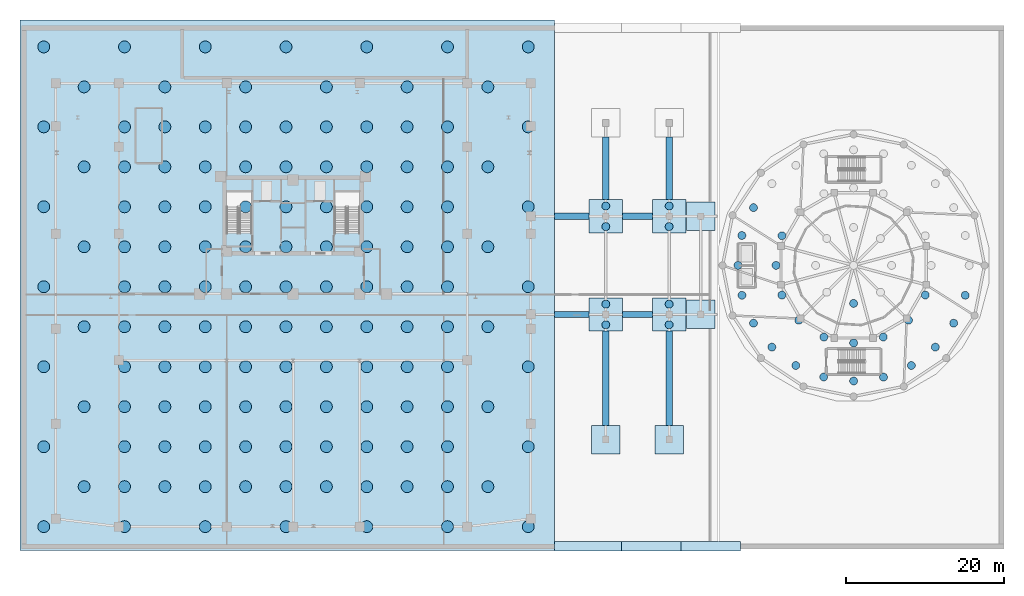
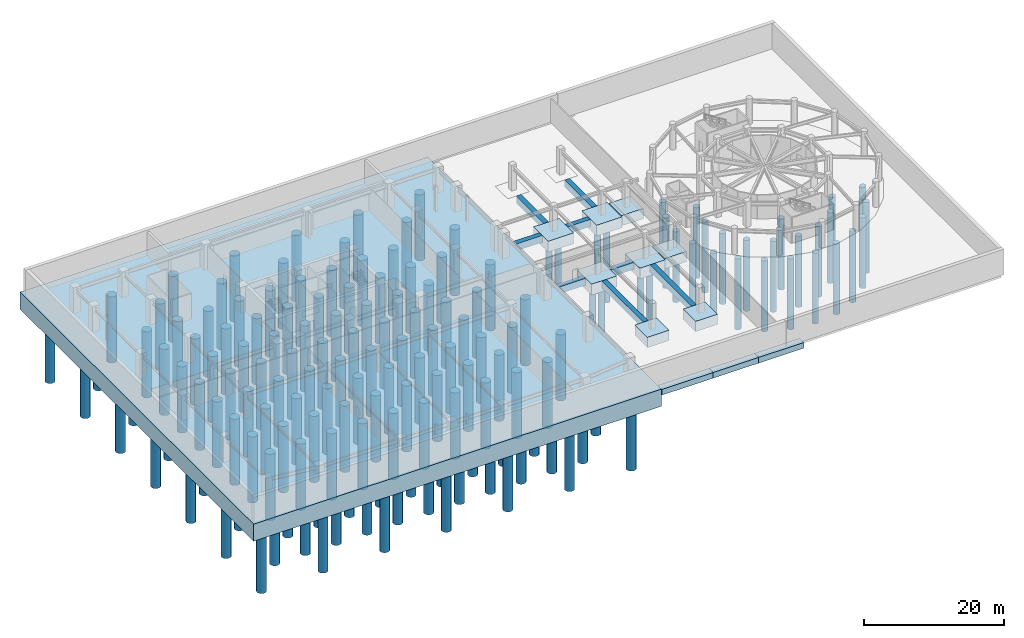
# One storey, part 1 of 15: 162 piles, 20 footings.
"""IFC4 building model written with IfcOpenShell, lengths in metres."""

from ifc_helpers import new_model, si_unit, derived_unit, direction, frame, origin, origin_2d, place, context, subcontext, project, spatial, polyline, rectangle, circle, outline, extrude, source, transform, mapped, material, material_profile, profile_set, type_object, element, save


model = new_model("IFC4")

# Units and contexts
model_context = context("Model", 3, precision=1e-05, world=origin(), true_north=direction((0.0, 1.0)))
body_context = subcontext(model_context, "Body", "Model", "MODEL_VIEW")
ifc_project = project(units=[si_unit("LENGTHUNIT", "METRE"), si_unit("AREAUNIT", "SQUARE_METRE"), si_unit("VOLUMEUNIT", "CUBIC_METRE"), si_unit("PLANEANGLEUNIT", "RADIAN"), si_unit("MASSUNIT", "GRAM", prefix="KILO"), derived_unit("THERMALTRANSMITTANCEUNIT", [(si_unit("POWERUNIT", "WATT"), 1), (si_unit("LENGTHUNIT", "METRE"), -2), (si_unit("THERMODYNAMICTEMPERATUREUNIT", "KELVIN"), -1)])], contexts=[model_context])

# Site, building, storey
site_placement = place(None, origin())
site = spatial("IfcSite", under=ifc_project, at=site_placement, CompositionType="ELEMENT")
building_placement = place(site_placement, origin())
building = spatial("IfcBuilding", under=site, at=building_placement, Name="Korsvarv Bourse and Concert Hall", CompositionType="ELEMENT")
storey_placement = place(building_placement, frame((0.0, 0.0, -9.0)))
storey = spatial("IfcBuildingStorey", under=building, at=storey_placement, Name="B02", CompositionType="ELEMENT", Elevation=-9.0)

# Footings
ifc_material_1 = material(Name="Concrete C50/60", Category="concrete")
footing_type_1 = type_object("IfcFootingType", Name="FT-RAFT-TW", PredefinedType="CAISSON_FOUNDATION", material=ifc_material_1)
footing_1_placement = place(storey_placement, frame((0.0, 0.0, -3.0)))
element("IfcFooting", 1, at=footing_1_placement, inside=storey, type_object=footing_type_1, Name="Tower and Exchange Podium Piled Raft FR-1", PredefinedType="CAISSON_FOUNDATION", context=body_context, shape_type="SweptSolid", body=[
    extrude(outline(polyline([(1.5, 0.0), (69.0, 0.0), (69.0, 67.0), (1.5, 67.0), (1.5, 0.0)])), origin(), (0.0, 0.0, 1.0), 3.0),
])
ifc_material_2 = material(Name="Concrete C45/55", Category="concrete")
footing_type_2 = type_object("IfcFootingType", Name="FT-PAD-2", PredefinedType="PILE_CAP", material=ifc_material_2)
shared_shape_1 = source(origin(), body_context, "Body", "SweptSolid", [
    extrude(rectangle(XDim=4.199951171875, YDim=4.199951171875, at=origin_2d()), origin(), (0.0, 0.0, 1.0), 1.89990234375),
])
for number, where, z_axis, x_axis, name in (
    (2, (75.5, 29.800048828125, -1.89990234375), (0.0, 0.0, 1.0), (1.0, 0.0, 0.0), "Sub-plaza foundation PC-1 at (75.5, 29.8)"),
    (3, (75.5, 42.199951171875, -1.89990234375), (0.0, 0.0, 1.0), (1.0, 0.0, 0.0), "Sub-plaza foundation PC-1 at (75.5, 42.2)"),
    (4, (83.5, 29.800048828125, -1.89990234375), (0.0, 0.0, 1.0), (1.0, 0.0, 0.0), "Sub-plaza foundation PC-1 at (83.5, 29.8)"),
    (5, (83.5, 42.199951171875, -1.89990234375), (0.0, 0.0, 1.0), (1.0, 0.0, 0.0), "Sub-plaza foundation PC-1 at (83.5, 42.2)"),
):
    element("IfcFooting", number, at=place(storey_placement, frame(where, z_axis=z_axis, x_axis=x_axis)), inside=storey, type_object=footing_type_2, Name=name, PredefinedType="PILE_CAP", context=body_context, shape_type="MappedRepresentation", body=[
        mapped(shared_shape_1, transform((0.0, 0.0, 0.0), scale=1.0)),
    ])
footing_type_3 = type_object("IfcFootingType", Name="FT-PAD-1", PredefinedType="PAD_FOOTING", material=ifc_material_2)
shared_shape_2 = source(origin(), body_context, "Body", "SweptSolid", [
    extrude(rectangle(XDim=3.60009765625, YDim=3.60009765625, at=origin_2d()), origin(), (0.0, 0.0, 1.0), 1.800048828125),
])
for number, where, z_axis, x_axis, name in (
    (6, (87.5, 29.800048828125, -1.7998046875), (0.0, 0.0, 1.0), (1.0, 0.0, 0.0), "Sub-plaza foundation FP-1 at (87.5, 29.8)"),
    (7, (87.5, 42.199951171875, -1.7998046875), (0.0, 0.0, 1.0), (1.0, 0.0, 0.0), "Sub-plaza foundation FP-1 at (87.5, 42.2)"),
    (8, (75.5, 14.0, -1.7998046875), (0.0, 0.0, 1.0), (1.0, 0.0, 0.0), "Sub-plaza foundation FP-1 at (75.5, 14.0)"),
    (9, (83.5, 14.0, -1.7998046875), (0.0, 0.0, 1.0), (1.0, 0.0, 0.0), "Sub-plaza foundation FP-1 at (83.5, 14.0)"),
):
    element("IfcFooting", number, at=place(storey_placement, frame(where, z_axis=z_axis, x_axis=x_axis)), inside=storey, type_object=footing_type_3, Name=name, PredefinedType="PAD_FOOTING", context=body_context, shape_type="MappedRepresentation", body=[
        mapped(shared_shape_2, transform((0.0, 0.0, 0.0), scale=1.0)),
    ])
ifc_material_profile_1 = material_profile(ifc_material_2, rectangle(XDim=0.800048828125, YDim=1.199951171875, at=origin_2d()), Name="GB 800x1200")
ifc_profile_set_1 = profile_set([ifc_material_profile_1], Name="Concrete C45/55")
footing_type_4 = type_object("IfcFootingType", Name="FT-GB-1", PredefinedType="FOOTING_BEAM", material=ifc_profile_set_1)
shared_shape_3 = source(origin(), body_context, "Body", "SweptSolid", [
    extrude(rectangle(XDim=0.800048828125, YDim=1.199951171875, at=origin_2d()), origin(), (0.0, 0.0, 1.0), 4.39990234375),
])
for number, where, z_axis, x_axis, name in (
    (10, (69.0, 29.800048828125, -0.60009765625), (1.0, 0.0, 0.0), (0.0, 1.0, 0.0), "Ground tie beam FT-GB-01"),
    (11, (69.0, 42.199951171875, -0.60009765625), (1.0, 0.0, 0.0), (0.0, 1.0, 0.0), "Ground tie beam FT-GB-03"),
):
    element("IfcFooting", number, at=place(storey_placement, frame(where, z_axis=z_axis, x_axis=x_axis)), inside=storey, type_object=footing_type_4, Name=name, PredefinedType="FOOTING_BEAM", context=body_context, shape_type="MappedRepresentation", body=[
        mapped(shared_shape_3, transform((0.0, 0.0, 0.0), scale=1.0)),
    ])
shared_shape_4 = source(origin(), body_context, "Body", "SweptSolid", [
    extrude(rectangle(XDim=0.800048828125, YDim=1.199951171875, at=origin_2d()), origin(), (0.0, 0.0, 1.0), 3.7998046875),
])
for number, where, z_axis, x_axis, name in (
    (12, (77.60009765625, 29.800048828125, -0.60009765625), (1.0, 0.0, 0.0), (0.0, 1.0, 0.0), "Ground tie beam FT-GB-02"),
    (13, (77.60009765625, 42.199951171875, -0.60009765625), (1.0, 0.0, 0.0), (0.0, 1.0, 0.0), "Ground tie beam FT-GB-04"),
):
    element("IfcFooting", number, at=place(storey_placement, frame(where, z_axis=z_axis, x_axis=x_axis)), inside=storey, type_object=footing_type_4, Name=name, PredefinedType="FOOTING_BEAM", context=body_context, shape_type="MappedRepresentation", body=[
        mapped(shared_shape_4, transform((0.0, 0.0, 0.0), scale=1.0)),
    ])
shared_shape_5 = source(origin(), body_context, "Body", "SweptSolid", [
    extrude(rectangle(XDim=0.800048828125, YDim=1.199951171875, at=origin_2d()), origin(), (0.0, 0.0, 1.0), 11.89990234375),
])
for number, where, z_axis, x_axis, name in (
    (14, (75.5, 15.800048828125, -0.60009765625), (0.0, 1.0, 0.0), (-1.0, 0.0, 0.0), "Ground tie beam FT-GB-05"),
    (15, (83.5, 15.800048828125, -0.60009765625), (0.0, 1.0, 0.0), (-1.0, 0.0, 0.0), "Ground tie beam FT-GB-06"),
):
    element("IfcFooting", number, at=place(storey_placement, frame(where, z_axis=z_axis, x_axis=x_axis)), inside=storey, type_object=footing_type_4, Name=name, PredefinedType="FOOTING_BEAM", context=body_context, shape_type="MappedRepresentation", body=[
        mapped(shared_shape_5, transform((0.0, 0.0, 0.0), scale=1.0)),
    ])
shared_shape_6 = source(origin(), body_context, "Body", "SweptSolid", [
    extrude(rectangle(XDim=0.800048828125, YDim=1.199951171875, at=origin_2d()), origin(), (0.0, 0.0, 1.0), 7.89990234375),
])
for number, where, z_axis, x_axis, name in (
    (16, (75.5, 44.300048828125, -0.60009765625), (0.0, 1.0, 0.0), (-1.0, 0.0, 0.0), "Ground tie beam FT-GB-07"),
    (17, (83.5, 44.300048828125, -0.60009765625), (0.0, 1.0, 0.0), (-1.0, 0.0, 0.0), "Ground tie beam FT-GB-08"),
):
    element("IfcFooting", number, at=place(storey_placement, frame(where, z_axis=z_axis, x_axis=x_axis)), inside=storey, type_object=footing_type_4, Name=name, PredefinedType="FOOTING_BEAM", context=body_context, shape_type="MappedRepresentation", body=[
        mapped(shared_shape_6, transform((0.0, 0.0, 0.0), scale=1.0)),
    ])
ifc_material_profile_2 = material_profile(ifc_material_2, rectangle(XDim=1.199951171875, YDim=1.0, at=origin_2d()), Name="SF 1200x1000")
ifc_profile_set_2 = profile_set([ifc_material_profile_2], Name="Concrete C45/55")
footing_type_5 = type_object("IfcFootingType", Name="FT-SF-1", PredefinedType="STRIP_FOOTING", material=ifc_profile_set_2)
shared_shape_7 = source(origin(), body_context, "Body", "SweptSolid", [
    extrude(rectangle(XDim=1.199951171875, YDim=1.0, at=origin_2d()), origin(), (0.0, 0.0, 1.0), 8.5),
])
footing_2_placement = place(storey_placement, frame((69.0, 0.5, -0.5), z_axis=(1.0, 0.0, 0.0), x_axis=(0.0, 1.0, 0.0)))
element("IfcFooting", 18, at=footing_2_placement, inside=storey, type_object=footing_type_5, Name="Basement retaining wall strip footing FT-SF-S1", PredefinedType="STRIP_FOOTING", context=body_context, shape_type="MappedRepresentation", body=[
    mapped(shared_shape_7, transform((0.0, 0.0, 0.0), scale=1.0)),
])
shared_shape_8 = source(origin(), body_context, "Body", "SweptSolid", [
    extrude(rectangle(XDim=1.199951171875, YDim=1.0, at=origin_2d()), origin(), (0.0, 0.0, 1.0), 7.5),
])
for number, where, z_axis, x_axis, name in (
    (19, (77.5, 0.5, -0.5), (1.0, 0.0, 0.0), (0.0, 1.0, 0.0), "Basement retaining wall strip footing FT-SF-S2"),
    (20, (85.0, 0.5, -0.5), (1.0, 0.0, 0.0), (0.0, 1.0, 0.0), "Basement retaining wall strip footing FT-SF-S3"),
):
    element("IfcFooting", number, at=place(storey_placement, frame(where, z_axis=z_axis, x_axis=x_axis)), inside=storey, type_object=footing_type_5, Name=name, PredefinedType="STRIP_FOOTING", context=body_context, shape_type="MappedRepresentation", body=[
        mapped(shared_shape_8, transform((0.0, 0.0, 0.0), scale=1.0)),
    ])

# Piles
ifc_material_profile_3 = material_profile(ifc_material_2, circle(Radius=0.75, at=origin_2d()), Name="PILE D1500")
ifc_profile_set_3 = profile_set([ifc_material_profile_3], Name="Concrete C45/55")
pile_type_1 = type_object("IfcPileType", Name="PIL-1500", PredefinedType="BORED", material=ifc_profile_set_3)
shared_shape_9 = source(origin(), body_context, "Body", "SweptSolid", [
    extrude(circle(Radius=0.75, at=origin_2d()), origin(), (0.0, 0.0, 1.0), 11.60009765625),
])
for number, where, z_axis, x_axis, name in (
    (21, (4.5, 3.0, -2.89990234375), (0.0, 0.0, -1.0), (1.0, 0.0, 0.0), "Tower raft bored pile P1-001"),
    (22, (4.5, 13.10009765625, -2.89990234375), (0.0, 0.0, -1.0), (1.0, 0.0, 0.0), "Tower raft bored pile P1-002"),
    (23, (4.5, 23.199951171875, -2.89990234375), (0.0, 0.0, -1.0), (1.0, 0.0, 0.0), "Tower raft bored pile P1-003"),
    (24, (4.5, 33.300048828125, -2.89990234375), (0.0, 0.0, -1.0), (1.0, 0.0, 0.0), "Tower raft bored pile P1-004"),
    (25, (4.5, 43.39990234375, -2.89990234375), (0.0, 0.0, -1.0), (1.0, 0.0, 0.0), "Tower raft bored pile P1-005"),
    (26, (4.5, 53.5, -2.89990234375), (0.0, 0.0, -1.0), (1.0, 0.0, 0.0), "Tower raft bored pile P1-006"),
    (27, (4.5, 63.60009765625, -2.89990234375), (0.0, 0.0, -1.0), (1.0, 0.0, 0.0), "Tower raft bored pile P1-007"),
    (28, (9.60009765625, 8.050048828125, -2.89990234375), (0.0, 0.0, -1.0), (1.0, 0.0, 0.0), "Tower raft bored pile P1-008"),
    (29, (9.60009765625, 18.14990234375, -2.89990234375), (0.0, 0.0, -1.0), (1.0, 0.0, 0.0), "Tower raft bored pile P1-009"),
    (30, (9.60009765625, 28.25, -2.89990234375), (0.0, 0.0, -1.0), (1.0, 0.0, 0.0), "Tower raft bored pile P1-010"),
    (31, (9.60009765625, 38.35009765625, -2.89990234375), (0.0, 0.0, -1.0), (1.0, 0.0, 0.0), "Tower raft bored pile P1-011"),
    (32, (9.60009765625, 48.449951171875, -2.89990234375), (0.0, 0.0, -1.0), (1.0, 0.0, 0.0), "Tower raft bored pile P1-012"),
    (33, (9.60009765625, 58.550048828125, -2.89990234375), (0.0, 0.0, -1.0), (1.0, 0.0, 0.0), "Tower raft bored pile P1-013"),
    (34, (14.699951171875, 3.0, -2.89990234375), (0.0, 0.0, -1.0), (1.0, 0.0, 0.0), "Tower raft bored pile P1-014"),
    (35, (14.699951171875, 8.050048828125, -2.89990234375), (0.0, 0.0, -1.0), (1.0, 0.0, 0.0), "Tower raft bored pile P1-015"),
    (36, (14.699951171875, 13.10009765625, -2.89990234375), (0.0, 0.0, -1.0), (1.0, 0.0, 0.0), "Tower raft bored pile P1-016"),
    (37, (14.699951171875, 18.14990234375, -2.89990234375), (0.0, 0.0, -1.0), (1.0, 0.0, 0.0), "Tower raft bored pile P1-017"),
    (38, (14.699951171875, 23.199951171875, -2.89990234375), (0.0, 0.0, -1.0), (1.0, 0.0, 0.0), "Tower raft bored pile P1-018"),
    (39, (14.699951171875, 28.25, -2.89990234375), (0.0, 0.0, -1.0), (1.0, 0.0, 0.0), "Tower raft bored pile P1-019"),
    (40, (14.699951171875, 33.300048828125, -2.89990234375), (0.0, 0.0, -1.0), (1.0, 0.0, 0.0), "Tower raft bored pile P1-020"),
    (41, (14.699951171875, 38.35009765625, -2.89990234375), (0.0, 0.0, -1.0), (1.0, 0.0, 0.0), "Tower raft bored pile P1-021"),
    (42, (14.699951171875, 43.39990234375, -2.89990234375), (0.0, 0.0, -1.0), (1.0, 0.0, 0.0), "Tower raft bored pile P1-022"),
    (43, (14.699951171875, 48.449951171875, -2.89990234375), (0.0, 0.0, -1.0), (1.0, 0.0, 0.0), "Tower raft bored pile P1-023"),
    (44, (14.699951171875, 53.5, -2.89990234375), (0.0, 0.0, -1.0), (1.0, 0.0, 0.0), "Tower raft bored pile P1-024"),
    (45, (14.699951171875, 63.60009765625, -2.89990234375), (0.0, 0.0, -1.0), (1.0, 0.0, 0.0), "Tower raft bored pile P1-025"),
    (46, (19.800048828125, 8.050048828125, -2.89990234375), (0.0, 0.0, -1.0), (1.0, 0.0, 0.0), "Tower raft bored pile P1-026"),
    (47, (19.800048828125, 13.10009765625, -2.89990234375), (0.0, 0.0, -1.0), (1.0, 0.0, 0.0), "Tower raft bored pile P1-027"),
    (48, (19.800048828125, 18.14990234375, -2.89990234375), (0.0, 0.0, -1.0), (1.0, 0.0, 0.0), "Tower raft bored pile P1-028"),
    (49, (19.800048828125, 23.199951171875, -2.89990234375), (0.0, 0.0, -1.0), (1.0, 0.0, 0.0), "Tower raft bored pile P1-029"),
    (50, (19.800048828125, 28.25, -2.89990234375), (0.0, 0.0, -1.0), (1.0, 0.0, 0.0), "Tower raft bored pile P1-030"),
    (51, (19.800048828125, 33.300048828125, -2.89990234375), (0.0, 0.0, -1.0), (1.0, 0.0, 0.0), "Tower raft bored pile P1-031"),
    (52, (19.800048828125, 38.35009765625, -2.89990234375), (0.0, 0.0, -1.0), (1.0, 0.0, 0.0), "Tower raft bored pile P1-032"),
    (53, (19.800048828125, 43.39990234375, -2.89990234375), (0.0, 0.0, -1.0), (1.0, 0.0, 0.0), "Tower raft bored pile P1-033"),
    (54, (19.800048828125, 48.449951171875, -2.89990234375), (0.0, 0.0, -1.0), (1.0, 0.0, 0.0), "Tower raft bored pile P1-034"),
    (55, (19.800048828125, 53.5, -2.89990234375), (0.0, 0.0, -1.0), (1.0, 0.0, 0.0), "Tower raft bored pile P1-035"),
    (56, (19.800048828125, 58.550048828125, -2.89990234375), (0.0, 0.0, -1.0), (1.0, 0.0, 0.0), "Tower raft bored pile P1-036"),
    (57, (24.89990234375, 3.0, -2.89990234375), (0.0, 0.0, -1.0), (1.0, 0.0, 0.0), "Tower raft bored pile P1-037"),
    (58, (24.89990234375, 8.050048828125, -2.89990234375), (0.0, 0.0, -1.0), (1.0, 0.0, 0.0), "Tower raft bored pile P1-038"),
    (59, (24.89990234375, 13.10009765625, -2.89990234375), (0.0, 0.0, -1.0), (1.0, 0.0, 0.0), "Tower raft bored pile P1-039"),
    (60, (24.89990234375, 18.14990234375, -2.89990234375), (0.0, 0.0, -1.0), (1.0, 0.0, 0.0), "Tower raft bored pile P1-040"),
    (61, (24.89990234375, 23.199951171875, -2.89990234375), (0.0, 0.0, -1.0), (1.0, 0.0, 0.0), "Tower raft bored pile P1-041"),
    (62, (24.89990234375, 28.25, -2.89990234375), (0.0, 0.0, -1.0), (1.0, 0.0, 0.0), "Tower raft bored pile P1-042"),
    (63, (24.89990234375, 33.300048828125, -2.89990234375), (0.0, 0.0, -1.0), (1.0, 0.0, 0.0), "Tower raft bored pile P1-043"),
    (64, (24.89990234375, 38.35009765625, -2.89990234375), (0.0, 0.0, -1.0), (1.0, 0.0, 0.0), "Tower raft bored pile P1-044"),
    (65, (24.89990234375, 43.39990234375, -2.89990234375), (0.0, 0.0, -1.0), (1.0, 0.0, 0.0), "Tower raft bored pile P1-045"),
    (66, (24.89990234375, 48.449951171875, -2.89990234375), (0.0, 0.0, -1.0), (1.0, 0.0, 0.0), "Tower raft bored pile P1-046"),
    (67, (24.89990234375, 53.5, -2.89990234375), (0.0, 0.0, -1.0), (1.0, 0.0, 0.0), "Tower raft bored pile P1-047"),
    (68, (24.89990234375, 63.60009765625, -2.89990234375), (0.0, 0.0, -1.0), (1.0, 0.0, 0.0), "Tower raft bored pile P1-048"),
    (69, (30.0, 8.050048828125, -2.89990234375), (0.0, 0.0, -1.0), (1.0, 0.0, 0.0), "Tower raft bored pile P1-049"),
    (70, (30.0, 13.10009765625, -2.89990234375), (0.0, 0.0, -1.0), (1.0, 0.0, 0.0), "Tower raft bored pile P1-050"),
    (71, (30.0, 18.14990234375, -2.89990234375), (0.0, 0.0, -1.0), (1.0, 0.0, 0.0), "Tower raft bored pile P1-051"),
    (72, (30.0, 23.199951171875, -2.89990234375), (0.0, 0.0, -1.0), (1.0, 0.0, 0.0), "Tower raft bored pile P1-052"),
    (73, (30.0, 28.25, -2.89990234375), (0.0, 0.0, -1.0), (1.0, 0.0, 0.0), "Tower raft bored pile P1-053"),
    (74, (30.0, 33.300048828125, -2.89990234375), (0.0, 0.0, -1.0), (1.0, 0.0, 0.0), "Tower raft bored pile P1-054"),
    (75, (30.0, 38.35009765625, -2.89990234375), (0.0, 0.0, -1.0), (1.0, 0.0, 0.0), "Tower raft bored pile P1-055"),
    (76, (30.0, 43.39990234375, -2.89990234375), (0.0, 0.0, -1.0), (1.0, 0.0, 0.0), "Tower raft bored pile P1-056"),
    (77, (30.0, 48.449951171875, -2.89990234375), (0.0, 0.0, -1.0), (1.0, 0.0, 0.0), "Tower raft bored pile P1-057"),
    (78, (30.0, 53.5, -2.89990234375), (0.0, 0.0, -1.0), (1.0, 0.0, 0.0), "Tower raft bored pile P1-058"),
    (79, (30.0, 58.550048828125, -2.89990234375), (0.0, 0.0, -1.0), (1.0, 0.0, 0.0), "Tower raft bored pile P1-059"),
    (80, (35.10009765625, 3.0, -2.89990234375), (0.0, 0.0, -1.0), (1.0, 0.0, 0.0), "Tower raft bored pile P1-060"),
    (81, (35.10009765625, 8.050048828125, -2.89990234375), (0.0, 0.0, -1.0), (1.0, 0.0, 0.0), "Tower raft bored pile P1-061"),
    (82, (35.10009765625, 13.10009765625, -2.89990234375), (0.0, 0.0, -1.0), (1.0, 0.0, 0.0), "Tower raft bored pile P1-062"),
    (83, (35.10009765625, 18.14990234375, -2.89990234375), (0.0, 0.0, -1.0), (1.0, 0.0, 0.0), "Tower raft bored pile P1-063"),
    (84, (35.10009765625, 23.199951171875, -2.89990234375), (0.0, 0.0, -1.0), (1.0, 0.0, 0.0), "Tower raft bored pile P1-064"),
    (85, (35.10009765625, 28.25, -2.89990234375), (0.0, 0.0, -1.0), (1.0, 0.0, 0.0), "Tower raft bored pile P1-065"),
    (86, (35.10009765625, 33.300048828125, -2.89990234375), (0.0, 0.0, -1.0), (1.0, 0.0, 0.0), "Tower raft bored pile P1-066"),
    (87, (35.10009765625, 38.35009765625, -2.89990234375), (0.0, 0.0, -1.0), (1.0, 0.0, 0.0), "Tower raft bored pile P1-067"),
    (88, (35.10009765625, 43.39990234375, -2.89990234375), (0.0, 0.0, -1.0), (1.0, 0.0, 0.0), "Tower raft bored pile P1-068"),
    (89, (35.10009765625, 48.449951171875, -2.89990234375), (0.0, 0.0, -1.0), (1.0, 0.0, 0.0), "Tower raft bored pile P1-069"),
    (90, (35.10009765625, 53.5, -2.89990234375), (0.0, 0.0, -1.0), (1.0, 0.0, 0.0), "Tower raft bored pile P1-070"),
    (91, (35.10009765625, 63.60009765625, -2.89990234375), (0.0, 0.0, -1.0), (1.0, 0.0, 0.0), "Tower raft bored pile P1-071"),
    (92, (40.199951171875, 8.050048828125, -2.89990234375), (0.0, 0.0, -1.0), (1.0, 0.0, 0.0), "Tower raft bored pile P1-072"),
    (93, (40.199951171875, 13.10009765625, -2.89990234375), (0.0, 0.0, -1.0), (1.0, 0.0, 0.0), "Tower raft bored pile P1-073"),
    (94, (40.199951171875, 18.14990234375, -2.89990234375), (0.0, 0.0, -1.0), (1.0, 0.0, 0.0), "Tower raft bored pile P1-074"),
    (95, (40.199951171875, 23.199951171875, -2.89990234375), (0.0, 0.0, -1.0), (1.0, 0.0, 0.0), "Tower raft bored pile P1-075"),
    (96, (40.199951171875, 28.25, -2.89990234375), (0.0, 0.0, -1.0), (1.0, 0.0, 0.0), "Tower raft bored pile P1-076"),
    (97, (40.199951171875, 33.300048828125, -2.89990234375), (0.0, 0.0, -1.0), (1.0, 0.0, 0.0), "Tower raft bored pile P1-077"),
    (98, (40.199951171875, 38.35009765625, -2.89990234375), (0.0, 0.0, -1.0), (1.0, 0.0, 0.0), "Tower raft bored pile P1-078"),
    (99, (40.199951171875, 43.39990234375, -2.89990234375), (0.0, 0.0, -1.0), (1.0, 0.0, 0.0), "Tower raft bored pile P1-079"),
    (100, (40.199951171875, 48.449951171875, -2.89990234375), (0.0, 0.0, -1.0), (1.0, 0.0, 0.0), "Tower raft bored pile P1-080"),
    (101, (40.199951171875, 53.5, -2.89990234375), (0.0, 0.0, -1.0), (1.0, 0.0, 0.0), "Tower raft bored pile P1-081"),
    (102, (40.199951171875, 58.550048828125, -2.89990234375), (0.0, 0.0, -1.0), (1.0, 0.0, 0.0), "Tower raft bored pile P1-082"),
    (103, (45.300048828125, 3.0, -2.89990234375), (0.0, 0.0, -1.0), (1.0, 0.0, 0.0), "Tower raft bored pile P1-083"),
    (104, (45.300048828125, 8.050048828125, -2.89990234375), (0.0, 0.0, -1.0), (1.0, 0.0, 0.0), "Tower raft bored pile P1-084"),
    (105, (45.300048828125, 13.10009765625, -2.89990234375), (0.0, 0.0, -1.0), (1.0, 0.0, 0.0), "Tower raft bored pile P1-085"),
    (106, (45.300048828125, 18.14990234375, -2.89990234375), (0.0, 0.0, -1.0), (1.0, 0.0, 0.0), "Tower raft bored pile P1-086"),
    (107, (45.300048828125, 23.199951171875, -2.89990234375), (0.0, 0.0, -1.0), (1.0, 0.0, 0.0), "Tower raft bored pile P1-087"),
    (108, (45.300048828125, 28.25, -2.89990234375), (0.0, 0.0, -1.0), (1.0, 0.0, 0.0), "Tower raft bored pile P1-088"),
    (109, (45.300048828125, 33.300048828125, -2.89990234375), (0.0, 0.0, -1.0), (1.0, 0.0, 0.0), "Tower raft bored pile P1-089"),
    (110, (45.300048828125, 38.35009765625, -2.89990234375), (0.0, 0.0, -1.0), (1.0, 0.0, 0.0), "Tower raft bored pile P1-090"),
    (111, (45.300048828125, 43.39990234375, -2.89990234375), (0.0, 0.0, -1.0), (1.0, 0.0, 0.0), "Tower raft bored pile P1-091"),
    (112, (45.300048828125, 48.449951171875, -2.89990234375), (0.0, 0.0, -1.0), (1.0, 0.0, 0.0), "Tower raft bored pile P1-092"),
    (113, (45.300048828125, 53.5, -2.89990234375), (0.0, 0.0, -1.0), (1.0, 0.0, 0.0), "Tower raft bored pile P1-093"),
    (114, (45.300048828125, 63.60009765625, -2.89990234375), (0.0, 0.0, -1.0), (1.0, 0.0, 0.0), "Tower raft bored pile P1-094"),
    (115, (50.39990234375, 8.050048828125, -2.89990234375), (0.0, 0.0, -1.0), (1.0, 0.0, 0.0), "Tower raft bored pile P1-095"),
    (116, (50.39990234375, 13.10009765625, -2.89990234375), (0.0, 0.0, -1.0), (1.0, 0.0, 0.0), "Tower raft bored pile P1-096"),
    (117, (50.39990234375, 18.14990234375, -2.89990234375), (0.0, 0.0, -1.0), (1.0, 0.0, 0.0), "Tower raft bored pile P1-097"),
    (118, (50.39990234375, 23.199951171875, -2.89990234375), (0.0, 0.0, -1.0), (1.0, 0.0, 0.0), "Tower raft bored pile P1-098"),
    (119, (50.39990234375, 28.25, -2.89990234375), (0.0, 0.0, -1.0), (1.0, 0.0, 0.0), "Tower raft bored pile P1-099"),
    (120, (50.39990234375, 33.300048828125, -2.89990234375), (0.0, 0.0, -1.0), (1.0, 0.0, 0.0), "Tower raft bored pile P1-100"),
    (121, (50.39990234375, 38.35009765625, -2.89990234375), (0.0, 0.0, -1.0), (1.0, 0.0, 0.0), "Tower raft bored pile P1-101"),
    (122, (50.39990234375, 43.39990234375, -2.89990234375), (0.0, 0.0, -1.0), (1.0, 0.0, 0.0), "Tower raft bored pile P1-102"),
    (123, (50.39990234375, 48.449951171875, -2.89990234375), (0.0, 0.0, -1.0), (1.0, 0.0, 0.0), "Tower raft bored pile P1-103"),
    (124, (50.39990234375, 53.5, -2.89990234375), (0.0, 0.0, -1.0), (1.0, 0.0, 0.0), "Tower raft bored pile P1-104"),
    (125, (50.39990234375, 58.550048828125, -2.89990234375), (0.0, 0.0, -1.0), (1.0, 0.0, 0.0), "Tower raft bored pile P1-105"),
    (126, (55.5, 3.0, -2.89990234375), (0.0, 0.0, -1.0), (1.0, 0.0, 0.0), "Tower raft bored pile P1-106"),
    (127, (55.5, 8.050048828125, -2.89990234375), (0.0, 0.0, -1.0), (1.0, 0.0, 0.0), "Tower raft bored pile P1-107"),
    (128, (55.5, 13.10009765625, -2.89990234375), (0.0, 0.0, -1.0), (1.0, 0.0, 0.0), "Tower raft bored pile P1-108"),
    (129, (55.5, 18.14990234375, -2.89990234375), (0.0, 0.0, -1.0), (1.0, 0.0, 0.0), "Tower raft bored pile P1-109"),
    (130, (55.5, 23.199951171875, -2.89990234375), (0.0, 0.0, -1.0), (1.0, 0.0, 0.0), "Tower raft bored pile P1-110"),
    (131, (55.5, 28.25, -2.89990234375), (0.0, 0.0, -1.0), (1.0, 0.0, 0.0), "Tower raft bored pile P1-111"),
    (132, (55.5, 33.300048828125, -2.89990234375), (0.0, 0.0, -1.0), (1.0, 0.0, 0.0), "Tower raft bored pile P1-112"),
    (133, (55.5, 38.35009765625, -2.89990234375), (0.0, 0.0, -1.0), (1.0, 0.0, 0.0), "Tower raft bored pile P1-113"),
    (134, (55.5, 43.39990234375, -2.89990234375), (0.0, 0.0, -1.0), (1.0, 0.0, 0.0), "Tower raft bored pile P1-114"),
    (135, (55.5, 48.449951171875, -2.89990234375), (0.0, 0.0, -1.0), (1.0, 0.0, 0.0), "Tower raft bored pile P1-115"),
    (136, (55.5, 53.5, -2.89990234375), (0.0, 0.0, -1.0), (1.0, 0.0, 0.0), "Tower raft bored pile P1-116"),
    (137, (55.5, 63.60009765625, -2.89990234375), (0.0, 0.0, -1.0), (1.0, 0.0, 0.0), "Tower raft bored pile P1-117"),
    (138, (60.60009765625, 8.050048828125, -2.89990234375), (0.0, 0.0, -1.0), (1.0, 0.0, 0.0), "Tower raft bored pile P1-118"),
    (139, (60.60009765625, 18.14990234375, -2.89990234375), (0.0, 0.0, -1.0), (1.0, 0.0, 0.0), "Tower raft bored pile P1-119"),
    (140, (60.60009765625, 28.25, -2.89990234375), (0.0, 0.0, -1.0), (1.0, 0.0, 0.0), "Tower raft bored pile P1-120"),
    (141, (60.60009765625, 38.35009765625, -2.89990234375), (0.0, 0.0, -1.0), (1.0, 0.0, 0.0), "Tower raft bored pile P1-121"),
    (142, (60.60009765625, 48.449951171875, -2.89990234375), (0.0, 0.0, -1.0), (1.0, 0.0, 0.0), "Tower raft bored pile P1-122"),
    (143, (60.60009765625, 58.550048828125, -2.89990234375), (0.0, 0.0, -1.0), (1.0, 0.0, 0.0), "Tower raft bored pile P1-123"),
    (144, (65.699951171875, 3.0, -2.89990234375), (0.0, 0.0, -1.0), (1.0, 0.0, 0.0), "Tower raft bored pile P1-124"),
    (145, (65.699951171875, 13.10009765625, -2.89990234375), (0.0, 0.0, -1.0), (1.0, 0.0, 0.0), "Tower raft bored pile P1-125"),
    (146, (65.699951171875, 23.199951171875, -2.89990234375), (0.0, 0.0, -1.0), (1.0, 0.0, 0.0), "Tower raft bored pile P1-126"),
    (147, (65.699951171875, 33.300048828125, -2.89990234375), (0.0, 0.0, -1.0), (1.0, 0.0, 0.0), "Tower raft bored pile P1-127"),
    (148, (65.699951171875, 43.39990234375, -2.89990234375), (0.0, 0.0, -1.0), (1.0, 0.0, 0.0), "Tower raft bored pile P1-128"),
    (149, (65.699951171875, 53.5, -2.89990234375), (0.0, 0.0, -1.0), (1.0, 0.0, 0.0), "Tower raft bored pile P1-129"),
    (150, (65.699951171875, 63.60009765625, -2.89990234375), (0.0, 0.0, -1.0), (1.0, 0.0, 0.0), "Tower raft bored pile P1-130"),
):
    element("IfcPile", number, at=place(storey_placement, frame(where, z_axis=z_axis, x_axis=x_axis)), inside=storey, type_object=pile_type_1, Name=name, PredefinedType="BORED", context=body_context, shape_type="MappedRepresentation", body=[
        mapped(shared_shape_9, transform((0.0, 0.0, 0.0), scale=1.0)),
    ])
ifc_material_profile_4 = material_profile(ifc_material_2, circle(Radius=0.5, at=origin_2d()), Name="PILE D1000")
ifc_profile_set_4 = profile_set([ifc_material_profile_4], Name="Concrete C45/55")
pile_type_2 = type_object("IfcPileType", Name="PIL-1000", PredefinedType="BORED", material=ifc_profile_set_4)
shared_shape_10 = source(origin(), body_context, "Body", "SweptSolid", [
    extrude(circle(Radius=0.5, at=origin_2d()), origin(), (0.0, 0.0, 1.0), 12.39990234375),
])
for number, where, z_axis, x_axis, name in (
    (151, (106.800048828125, 31.199951171875, -2.10009765625), (0.0, 0.0, -1.0), (1.0, 0.0, 0.0), "Concert Hall bored pile P2-008"),
    (152, (97.74609375, 39.750244140625, -2.10009765625), (0.0, 0.0, -1.0), (1.0, 0.0, 0.0), "Concert Hall bored pile P2-017"),
    (153, (97.0, 36.0, -2.10009765625), (0.0, 0.0, -1.0), (1.0, 0.0, 0.0), "Concert Hall bored pile P2-018"),
    (154, (97.74609375, 32.249755859375, -2.10009765625), (0.0, 0.0, -1.0), (1.0, 0.0, 0.0), "Concert Hall bored pile P2-019"),
    (155, (99.870361328125, 29.0703125, -2.10009765625), (0.0, 0.0, -1.0), (1.0, 0.0, 0.0), "Concert Hall bored pile P2-020"),
    (156, (103.0498046875, 26.946044921875, -2.10009765625), (0.0, 0.0, -1.0), (1.0, 0.0, 0.0), "Concert Hall bored pile P2-021"),
    (157, (106.800048828125, 26.199951171875, -2.10009765625), (0.0, 0.0, -1.0), (1.0, 0.0, 0.0), "Concert Hall bored pile P2-022"),
    (158, (110.55029296875, 26.946044921875, -2.10009765625), (0.0, 0.0, -1.0), (1.0, 0.0, 0.0), "Concert Hall bored pile P2-023"),
    (159, (113.7294921875, 29.0703125, -2.10009765625), (0.0, 0.0, -1.0), (1.0, 0.0, 0.0), "Concert Hall bored pile P2-024"),
    (160, (115.85400390625, 32.249755859375, -2.10009765625), (0.0, 0.0, -1.0), (1.0, 0.0, 0.0), "Concert Hall bored pile P2-025"),
    (161, (94.156005859375, 43.300048828125, -2.10009765625), (0.0, 0.0, -1.0), (1.0, 0.0, 0.0), "Concert Hall bored pile P2-036"),
    (162, (92.697509765625, 39.77880859375, -2.10009765625), (0.0, 0.0, -1.0), (1.0, 0.0, 0.0), "Concert Hall bored pile P2-037"),
    (163, (92.199951171875, 36.0, -2.10009765625), (0.0, 0.0, -1.0), (1.0, 0.0, 0.0), "Concert Hall bored pile P2-038"),
    (164, (92.697509765625, 32.22119140625, -2.10009765625), (0.0, 0.0, -1.0), (1.0, 0.0, 0.0), "Concert Hall bored pile P2-039"),
    (165, (94.156005859375, 28.699951171875, -2.10009765625), (0.0, 0.0, -1.0), (1.0, 0.0, 0.0), "Concert Hall bored pile P2-040"),
    (166, (96.476318359375, 25.67626953125, -2.10009765625), (0.0, 0.0, -1.0), (1.0, 0.0, 0.0), "Concert Hall bored pile P2-041"),
    (167, (99.5, 23.35595703125, -2.10009765625), (0.0, 0.0, -1.0), (1.0, 0.0, 0.0), "Concert Hall bored pile P2-042"),
    (168, (103.021240234375, 21.8974609375, -2.10009765625), (0.0, 0.0, -1.0), (1.0, 0.0, 0.0), "Concert Hall bored pile P2-043"),
    (169, (106.800048828125, 21.39990234375, -2.10009765625), (0.0, 0.0, -1.0), (1.0, 0.0, 0.0), "Concert Hall bored pile P2-044"),
    (170, (110.578857421875, 21.8974609375, -2.10009765625), (0.0, 0.0, -1.0), (1.0, 0.0, 0.0), "Concert Hall bored pile P2-045"),
    (171, (114.10009765625, 23.35595703125, -2.10009765625), (0.0, 0.0, -1.0), (1.0, 0.0, 0.0), "Concert Hall bored pile P2-046"),
    (172, (117.123779296875, 25.67626953125, -2.10009765625), (0.0, 0.0, -1.0), (1.0, 0.0, 0.0), "Concert Hall bored pile P2-047"),
    (173, (119.444091796875, 28.699951171875, -2.10009765625), (0.0, 0.0, -1.0), (1.0, 0.0, 0.0), "Concert Hall bored pile P2-048"),
    (174, (120.902587890625, 32.22119140625, -2.10009765625), (0.0, 0.0, -1.0), (1.0, 0.0, 0.0), "Concert Hall bored pile P2-049"),
):
    element("IfcPile", number, at=place(storey_placement, frame(where, z_axis=z_axis, x_axis=x_axis)), inside=storey, type_object=pile_type_2, Name=name, PredefinedType="BORED", context=body_context, shape_type="MappedRepresentation", body=[
        mapped(shared_shape_10, transform((0.0, 0.0, 0.0), scale=1.0)),
    ])
shared_shape_11 = source(origin(), body_context, "Body", "SweptSolid", [
    extrude(circle(Radius=0.5, at=origin_2d()), origin(), (0.0, 0.0, 1.0), 12.699951171875),
])
for number, where, z_axis, x_axis, name in (
    (175, (75.5, 28.5, -1.800048828125), (0.0, 0.0, -1.0), (1.0, 0.0, 0.0), "Link cap bored pile P2-L01"),
    (176, (75.5, 31.10009765625, -1.800048828125), (0.0, 0.0, -1.0), (1.0, 0.0, 0.0), "Link cap bored pile P2-L02"),
    (177, (75.5, 40.89990234375, -1.800048828125), (0.0, 0.0, -1.0), (1.0, 0.0, 0.0), "Link cap bored pile P2-L03"),
    (178, (75.5, 43.5, -1.800048828125), (0.0, 0.0, -1.0), (1.0, 0.0, 0.0), "Link cap bored pile P2-L04"),
    (179, (83.5, 28.5, -1.800048828125), (0.0, 0.0, -1.0), (1.0, 0.0, 0.0), "Link cap bored pile P2-L05"),
    (180, (83.5, 31.10009765625, -1.800048828125), (0.0, 0.0, -1.0), (1.0, 0.0, 0.0), "Link cap bored pile P2-L06"),
    (181, (83.5, 40.89990234375, -1.800048828125), (0.0, 0.0, -1.0), (1.0, 0.0, 0.0), "Link cap bored pile P2-L07"),
    (182, (83.5, 43.5, -1.800048828125), (0.0, 0.0, -1.0), (1.0, 0.0, 0.0), "Link cap bored pile P2-L08"),
):
    element("IfcPile", number, at=place(storey_placement, frame(where, z_axis=z_axis, x_axis=x_axis)), inside=storey, type_object=pile_type_2, Name=name, PredefinedType="BORED", context=body_context, shape_type="MappedRepresentation", body=[
        mapped(shared_shape_11, transform((0.0, 0.0, 0.0), scale=1.0)),
    ])

save(model, "model.ifc")
